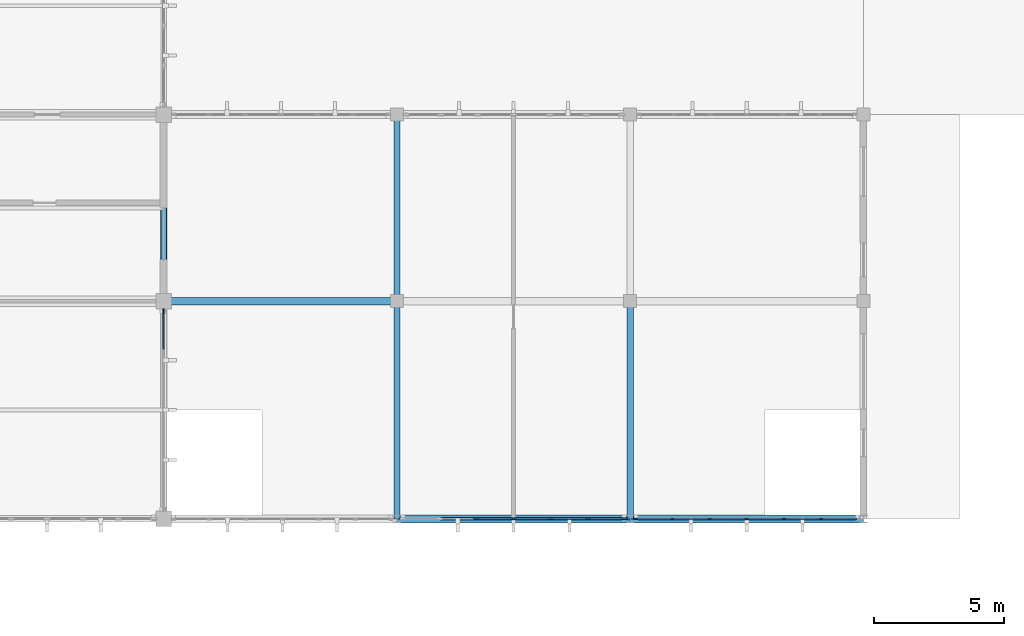
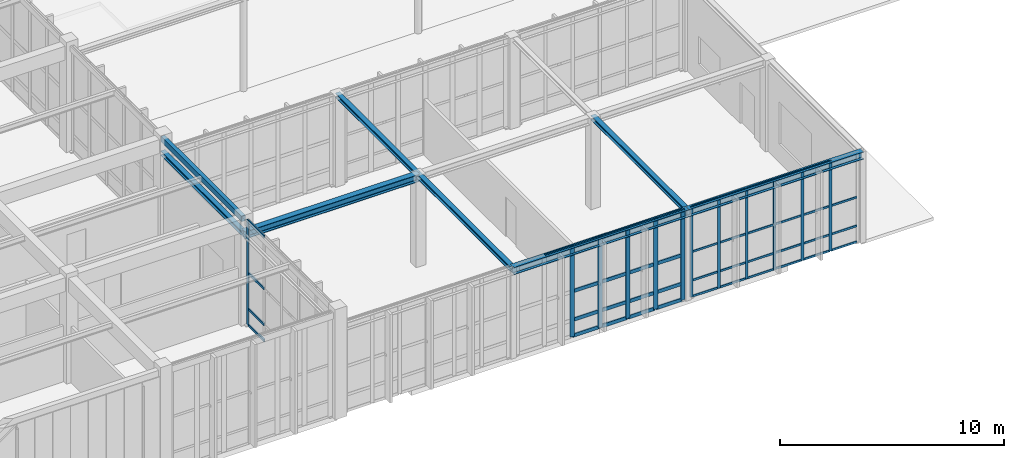
# One storey, part 29 of 110: 56 members, 8 beams, 3 elements without a shape of their own.
"""IFC4 building model written with IfcOpenShell, lengths in metres."""

import ifcopenshell
import ifcopenshell.guid

model = None  # the IFC model being written
_history = None  # IfcOwnerHistory: only IFC2X3 demands one
_inside = {}  # id of a spatial element -> (the spatial element, [elements in it])
_under = {}  # id of a project, library or spatial element -> (it, [spatial elements below it])
_declared = {}  # id of a project -> (the project, [libraries it declares])
_typed = {}  # id of a type object -> (the type object, [elements of that type])
_made_of = {}  # id of a material, layer set ... -> (it, [elements and type objects made of it])


def new_model(schema):
    """Start an empty IFC model of exactly this schema.

    Asked for "IFC4X3", IfcOpenShell would pick the latest addendum, in which some entities
    have other attributes; the version numbers below select the first issue.
    IFC2X3 requires an IfcOwnerHistory on every rooted entity: one is made here for all.
    """
    global model, _history
    if schema == "IFC4X3":
        model = ifcopenshell.file(schema_version=(4, 3, 0, 0))
    else:
        model = ifcopenshell.file(schema=schema)
    _inside.clear()
    _under.clear()
    _declared.clear()
    _typed.clear()
    _made_of.clear()
    _history = None
    if model.schema == "IFC2X3":
        org = make("IfcOrganization", Name="unknown")
        user = make(
            "IfcPersonAndOrganization",
            ThePerson=make("IfcPerson", FamilyName="unknown"),
            TheOrganization=org,
        )
        app = make(
            "IfcApplication",
            ApplicationDeveloper=org,
            Version="unknown",
            ApplicationFullName="unknown",
            ApplicationIdentifier="unknown",
        )
        _history = make(
            "IfcOwnerHistory",
            OwningUser=user,
            OwningApplication=app,
            ChangeAction="ADDED",
            CreationDate=0,
        )
    return model


def make(cls, **values):
    """One entity of the class cls with the attributes given. An attribute that is None is left unset."""
    return model.create_entity(
        cls, **{name: value for name, value in values.items() if value is not None}
    )


def rooted(cls, **values):
    """An entity with a GlobalId (a new one), such as an element, a storey or a relation."""
    return make(cls, GlobalId=ifcopenshell.guid.new(), OwnerHistory=_history, **values)


def si_unit(unit_type, name, prefix=None):
    """IfcSIUnit, for example si_unit("LENGTHUNIT", "METRE", prefix="MILLI")."""
    return make("IfcSIUnit", UnitType=unit_type, Prefix=prefix, Name=name)


def assignment(units):
    """IfcUnitAssignment: the units of a project."""
    return None if units is None else make("IfcUnitAssignment", Units=units)


def point(xyz):
    """IfcCartesianPoint."""
    return None if xyz is None else make("IfcCartesianPoint", Coordinates=xyz)


def direction(xyz):
    """IfcDirection."""
    return None if xyz is None else make("IfcDirection", DirectionRatios=xyz)


def frame(location, z_axis=None, x_axis=None):
    """IfcAxis2Placement3D, a coordinate frame: its origin and axes. An axis left out is left unset."""
    return make(
        "IfcAxis2Placement3D",
        Location=point(location),
        Axis=direction(z_axis),
        RefDirection=direction(x_axis),
    )


def frame_2d(location, x_axis=None):
    """IfcAxis2Placement2D, a coordinate frame in the plane: its origin and x axis."""
    return make(
        "IfcAxis2Placement2D", Location=point(location), RefDirection=direction(x_axis)
    )


def origin():
    """The frame at (0, 0, 0) with its axes left unset."""
    return frame((0.0, 0.0, 0.0))


def origin_2d():
    """The frame at (0, 0) in the plane with its x axis left unset."""
    return frame_2d((0.0, 0.0))


def place(relative_to, where):
    """IfcLocalPlacement: puts the frame where relative to a parent placement (None: the world)."""
    return make(
        "IfcLocalPlacement", PlacementRelTo=relative_to, RelativePlacement=where
    )


def context(
    kind, dimensions, precision=None, world=None, true_north=None, identifier=None
):
    """IfcGeometricRepresentationContext, for example the 3D "Model" context."""
    return make(
        "IfcGeometricRepresentationContext",
        ContextIdentifier=identifier,
        ContextType=kind,
        CoordinateSpaceDimension=dimensions,
        Precision=precision,
        WorldCoordinateSystem=world,
        TrueNorth=true_north,
    )


def subcontext(parent, identifier, kind, view, scale=None):
    """IfcGeometricRepresentationSubContext, for example "Body" below "Model"."""
    return make(
        "IfcGeometricRepresentationSubContext",
        ContextIdentifier=identifier,
        ContextType=kind,
        ParentContext=parent,
        TargetScale=scale,
        TargetView=view,
    )


def project(units=None, contexts=None):
    """IfcProject with its units and contexts."""
    return rooted(
        "IfcProject",
        Name="project",
        RepresentationContexts=contexts,
        UnitsInContext=assignment(units),
    )


def spatial(cls, under=None, at=None, **own):
    """A site, building, storey or space (cls), placed at a placement, below another one or the project."""
    s = rooted(cls, ObjectPlacement=at, **own)
    if under is not None:
        _under.setdefault(under.id(), (under, []))[1].append(s)
    return s


def profile(cls, at=None, kind="AREA", **sizes):
    """A parametric profile (cls). Its sizes go by their IFC names, for example OverallWidth=200.0."""
    return make(cls, ProfileType=kind, Position=at, **sizes)


def rectangle(**sizes):
    """IfcRectangleProfileDef."""
    return profile("IfcRectangleProfileDef", **sizes)


def hollow_rectangle(**sizes):
    """IfcRectangleHollowProfileDef."""
    return profile("IfcRectangleHollowProfileDef", **sizes)


def i_section(**sizes):
    """IfcIShapeProfileDef."""
    return profile("IfcIShapeProfileDef", **sizes)


def extrude(swept, where, along, depth):
    """IfcExtrudedAreaSolid: the profile swept, set in the frame where, extruded along a direction by depth."""
    return make(
        "IfcExtrudedAreaSolid",
        SweptArea=swept,
        Position=where,
        ExtrudedDirection=direction(along),
        Depth=depth,
    )


def shape(context_of_items, identifier, shape_type, items):
    """IfcShapeRepresentation: the items that make up one representation, for example the "Body"."""
    return make(
        "IfcShapeRepresentation",
        ContextOfItems=context_of_items,
        RepresentationIdentifier=identifier,
        RepresentationType=shape_type,
        Items=items,
    )


def material(Name=None, Category=None):
    """IfcMaterial."""
    return make("IfcMaterial", Name=Name, Category=Category)


def material_profile(
    of_material, cross_section, Name=None, Category=None, Priority=None
):
    """IfcMaterialProfile: a cross section and its material."""
    return make(
        "IfcMaterialProfile",
        Name=Name,
        Material=of_material,
        Profile=cross_section,
        Priority=Priority,
        Category=Category,
    )


def profile_set(profiles, Name=None, composite=None):
    """IfcMaterialProfileSet."""
    return make(
        "IfcMaterialProfileSet",
        Name=Name,
        MaterialProfiles=profiles,
        CompositeProfile=composite,
    )


def made_of(thing, what):
    """Note that an element or type object is made of a material, layer set ...; save() writes the relation."""
    if what is not None:
        _made_of.setdefault(what.id(), (what, []))[1].append(thing)
    return thing


def type_object(cls, material=None, **own):
    """A type object (cls), such as IfcWallType, which elements share."""
    return made_of(rooted(cls, **own), material)


def element(
    cls,
    number,
    at=None,
    inside=None,
    cuts=None,
    type_object=None,
    material=None,
    context=None,
    identifier="Body",
    shape_type=None,
    held_by="IfcProductDefinitionShape",
    body=None,
    shapes=None,
    **own,
):
    """One element of the class cls, such as IfcWall. Its Tag is "e" and its number.

    at: its placement. inside: the storey or other place that contains it. cuts: it is an
    opening in that element (IfcRelVoidsElement). A single representation is given by context,
    identifier, shape_type and body (its items); several are given by shapes. held_by: the class
    of the entity that holds the representations. save() writes the other relations.
    """
    e = rooted(cls, Tag="e%d" % number, ObjectPlacement=at, **own)
    if body is not None:
        shapes = [shape(context, identifier, shape_type, body)]
    if shapes is not None:
        e.Representation = make(held_by, Representations=shapes)
    if inside is not None:
        _inside.setdefault(inside.id(), (inside, []))[1].append(e)
    if cuts is not None:
        rooted(
            "IfcRelVoidsElement", RelatingBuildingElement=cuts, RelatedOpeningElement=e
        )
    if type_object is not None:
        _typed.setdefault(type_object.id(), (type_object, []))[1].append(e)
    return made_of(e, material)


def aggregate(whole, parts):
    """IfcRelAggregates: a whole, such as a stair, and the parts it consists of."""
    return rooted("IfcRelAggregates", RelatingObject=whole, RelatedObjects=parts)


def save(model, path):
    """Write the relations noted so far, then the file.

    IfcRelAggregates (storeys below a building ...), IfcRelContainedInSpatialStructure (elements
    in a storey), IfcRelDefinesByType, IfcRelAssociatesMaterial and IfcRelDeclares: one each for
    every whole, place, type object, material and project.
    """
    for whole, parts in _under.values():
        aggregate(whole, parts)
    for where, things in _inside.values():
        rooted(
            "IfcRelContainedInSpatialStructure",
            RelatedElements=things,
            RelatingStructure=where,
        )
    for kind, things in _typed.values():
        rooted("IfcRelDefinesByType", RelatedObjects=things, RelatingType=kind)
    for what, things in _made_of.values():
        rooted("IfcRelAssociatesMaterial", RelatedObjects=things, RelatingMaterial=what)
    for by, libraries in _declared.values():
        rooted("IfcRelDeclares", RelatingContext=by, RelatedDefinitions=libraries)
    model.write(path)


model = new_model("IFC4")

# Units and contexts
model_context = context("Model", 3, precision=1e-05, world=origin(), true_north=direction((0.0, 1.0)))
body_context = subcontext(model_context, "Body", "Model", "MODEL_VIEW")
ifc_project = project(units=[si_unit("LENGTHUNIT", "METRE"), si_unit("AREAUNIT", "SQUARE_METRE"), si_unit("VOLUMEUNIT", "CUBIC_METRE"), si_unit("PLANEANGLEUNIT", "RADIAN"), si_unit("MASSUNIT", "GRAM", prefix="KILO")], contexts=[model_context])

# Site, building, storey
site_placement = place(None, origin())
site = spatial("IfcSite", under=ifc_project, at=site_placement, CompositionType="ELEMENT")
building_placement = place(site_placement, origin())
building = spatial("IfcBuilding", under=site, at=building_placement, Name="Tizgana Railside Sports Hall", CompositionType="ELEMENT")
storey_placement = place(building_placement, origin())
storey = spatial("IfcBuildingStorey", under=building, at=storey_placement, Name="L00", CompositionType="ELEMENT", Elevation=0.0)

# Curtain wall, members
ifc_material_1 = material(Name="Anodised aluminium and glass", Category="aluminium")
curtain_wall_type_1 = type_object("IfcCurtainWallType", Name="Unitised Curtain Wall Clinic 1200", PredefinedType="NOTDEFINED", material=ifc_material_1)
curtain_wall_1_placement = place(storey_placement, origin())
curtain_wall_1 = element("IfcCurtainWall", 1, at=curtain_wall_1_placement, inside=storey, type_object=curtain_wall_type_1, Name="L00 Curtain Wall CW-0156", PredefinedType="NOTDEFINED")
ifc_material_2 = material(Name="Anodised aluminium", Category="aluminium")
ifc_material_profile_1 = material_profile(ifc_material_2, rectangle(XDim=0.06005859375, YDim=0.139892578125, at=origin_2d()), Name="Mullion 60x140")
ifc_profile_set_1 = profile_set([ifc_material_profile_1], Name="Anodised aluminium")
member_type_1 = type_object("IfcMemberType", Name="Mullion 60x140", PredefinedType="MULLION", material=ifc_profile_set_1)
member_1_placement = place(storey_placement, frame((123.169921875, 0.0, 0.044921875), z_axis=(0.0, 0.0, 1.0), x_axis=(0.0, -1.0, 0.0)))
member_1 = element("IfcMember", 2, at=member_1_placement, type_object=member_type_1, Name="CW-05 mullion 2", PredefinedType="MULLION", context=body_context, shape_type="SweptSolid", body=[
    extrude(rectangle(XDim=0.06005859375, YDim=0.139892578125, at=origin_2d()), origin(), (0.0, 0.0, 1.0), 4.9150390625),
])
member_2_placement = place(storey_placement, frame((121.735107421875, 0.0, 0.044921875), z_axis=(0.0, 0.0, 1.0), x_axis=(0.0, -1.0, 0.0)))
member_2 = element("IfcMember", 3, at=member_2_placement, type_object=member_type_1, Name="CW-05 mullion 3", PredefinedType="MULLION", context=body_context, shape_type="SweptSolid", body=[
    extrude(rectangle(XDim=0.06005859375, YDim=0.139892578125, at=origin_2d()), origin(), (0.0, 0.0, 1.0), 4.9150390625),
])
member_3_placement = place(storey_placement, frame((120.300048828125, 0.0, 0.044921875), z_axis=(0.0, 0.0, 1.0), x_axis=(0.0, -1.0, 0.0)))
member_3 = element("IfcMember", 4, at=member_3_placement, type_object=member_type_1, Name="CW-05 mullion 4", PredefinedType="MULLION", context=body_context, shape_type="SweptSolid", body=[
    extrude(rectangle(XDim=0.06005859375, YDim=0.139892578125, at=origin_2d()), origin(), (0.0, 0.0, 1.0), 4.9150390625),
])
member_4_placement = place(storey_placement, frame((118.864990234375, 0.0, 0.044921875), z_axis=(0.0, 0.0, 1.0), x_axis=(0.0, -1.0, 0.0)))
member_4 = element("IfcMember", 5, at=member_4_placement, type_object=member_type_1, Name="CW-05 mullion 5", PredefinedType="MULLION", context=body_context, shape_type="SweptSolid", body=[
    extrude(rectangle(XDim=0.06005859375, YDim=0.139892578125, at=origin_2d()), origin(), (0.0, 0.0, 1.0), 4.9150390625),
])
member_5_placement = place(storey_placement, frame((117.429931640625, 0.0, 0.044921875), z_axis=(0.0, 0.0, 1.0), x_axis=(0.0, -1.0, 0.0)))
member_5 = element("IfcMember", 6, at=member_5_placement, type_object=member_type_1, Name="CW-05 mullion 6", PredefinedType="MULLION", context=body_context, shape_type="SweptSolid", body=[
    extrude(rectangle(XDim=0.06005859375, YDim=0.139892578125, at=origin_2d()), origin(), (0.0, 0.0, 1.0), 4.9150390625),
])
member_6_placement = place(storey_placement, frame((116.02490234375, 0.0, 0.044921875), z_axis=(0.0, 0.0, 1.0), x_axis=(0.0, -1.0, 0.0)))
member_6 = element("IfcMember", 7, at=member_6_placement, type_object=member_type_1, Name="CW-05 mullion 7", PredefinedType="MULLION", context=body_context, shape_type="SweptSolid", body=[
    extrude(rectangle(XDim=0.06005859375, YDim=0.139892578125, at=origin_2d()), origin(), (0.0, 0.0, 1.0), 4.9150390625),
])

# Curtain wall, member
curtain_wall_type_2 = type_object("IfcCurtainWallType", Name="Unitised Curtain Wall WestHall 1560", PredefinedType="NOTDEFINED", material=ifc_material_1)
curtain_wall_2_placement = place(storey_placement, origin())
curtain_wall_2 = element("IfcCurtainWall", 8, at=curtain_wall_2_placement, inside=storey, type_object=curtain_wall_type_2, Name="L00 Curtain Wall CW-0086", PredefinedType="NOTDEFINED")
ifc_material_profile_2 = material_profile(ifc_material_2, rectangle(XDim=0.06005859375, YDim=0.179931640625, at=origin_2d()), Name="Mullion 60x180")
ifc_profile_set_2 = profile_set([ifc_material_profile_2], Name="Anodised aluminium")
member_type_2 = type_object("IfcMemberType", Name="Mullion 60x180", PredefinedType="MULLION", material=ifc_profile_set_2)
member_7_placement = place(storey_placement, frame((97.800048828125, 8.014892578125, 0.044921875), z_axis=(0.0, 0.0, 1.0), x_axis=(1.0, 0.0, 0.0)))
member_7 = element("IfcMember", 9, at=member_7_placement, type_object=member_type_2, Name="CW-07 mullion 1", PredefinedType="MULLION", context=body_context, shape_type="SweptSolid", body=[
    extrude(rectangle(XDim=0.06005859375, YDim=0.179931640625, at=origin_2d()), origin(), (0.0, 0.0, 1.0), 5.705078125),
])

# Curtain wall, members
curtain_wall_type_3 = type_object("IfcCurtainWallType", Name="Unitised Curtain Wall Studio 1400", PredefinedType="NOTDEFINED", material=ifc_material_1)
curtain_wall_3_placement = place(storey_placement, origin())
curtain_wall_3 = element("IfcCurtainWall", 10, at=curtain_wall_3_placement, inside=storey, type_object=curtain_wall_type_3, Name="L00 Curtain Wall CW-0154", PredefinedType="NOTDEFINED")
ifc_material_profile_3 = material_profile(ifc_material_2, rectangle(XDim=0.070068359375, YDim=0.219970703125, at=origin_2d()), Name="Mullion 70x220")
ifc_profile_set_3 = profile_set([ifc_material_profile_3], Name="Anodised aluminium")
member_type_3 = type_object("IfcMemberType", Name="Mullion 70x220", PredefinedType="MULLION", material=ifc_profile_set_3)
member_8_placement = place(storey_placement, frame((115.570068359375, 0.0, 0.044921875), z_axis=(0.0, 0.0, 1.0), x_axis=(0.0, -1.0, 0.0)))
member_8 = element("IfcMember", 11, at=member_8_placement, type_object=member_type_3, Name="CW-03 mullion 1", PredefinedType="MULLION", context=body_context, shape_type="SweptSolid", body=[
    extrude(rectangle(XDim=0.070068359375, YDim=0.219970703125, at=origin_2d()), origin(), (0.0, 0.0, 1.0), 4.9150390625),
])
member_9_placement = place(storey_placement, frame((114.169921875, 0.0, 0.044921875), z_axis=(0.0, 0.0, 1.0), x_axis=(0.0, -1.0, 0.0)))
member_9 = element("IfcMember", 12, at=member_9_placement, type_object=member_type_3, Name="CW-03 mullion 2", PredefinedType="MULLION", context=body_context, shape_type="SweptSolid", body=[
    extrude(rectangle(XDim=0.070068359375, YDim=0.219970703125, at=origin_2d()), origin(), (0.0, 0.0, 1.0), 4.9150390625),
])
member_10_placement = place(storey_placement, frame((112.735107421875, 0.0, 0.044921875), z_axis=(0.0, 0.0, 1.0), x_axis=(0.0, -1.0, 0.0)))
member_10 = element("IfcMember", 13, at=member_10_placement, type_object=member_type_3, Name="CW-03 mullion 3", PredefinedType="MULLION", context=body_context, shape_type="SweptSolid", body=[
    extrude(rectangle(XDim=0.070068359375, YDim=0.219970703125, at=origin_2d()), origin(), (0.0, 0.0, 1.0), 4.9150390625),
])
member_11_placement = place(storey_placement, frame((111.300048828125, 0.0, 0.044921875), z_axis=(0.0, 0.0, 1.0), x_axis=(0.0, -1.0, 0.0)))
member_11 = element("IfcMember", 14, at=member_11_placement, type_object=member_type_3, Name="CW-03 mullion 4", PredefinedType="MULLION", context=body_context, shape_type="SweptSolid", body=[
    extrude(rectangle(XDim=0.070068359375, YDim=0.219970703125, at=origin_2d()), origin(), (0.0, 0.0, 1.0), 4.9150390625),
])
member_12_placement = place(storey_placement, frame((109.864990234375, 0.0, 0.044921875), z_axis=(0.0, 0.0, 1.0), x_axis=(0.0, -1.0, 0.0)))
member_12 = element("IfcMember", 15, at=member_12_placement, type_object=member_type_3, Name="CW-03 mullion 5", PredefinedType="MULLION", context=body_context, shape_type="SweptSolid", body=[
    extrude(rectangle(XDim=0.070068359375, YDim=0.219970703125, at=origin_2d()), origin(), (0.0, 0.0, 1.0), 4.9150390625),
])

# Beams
ifc_material_3 = material(Name="Steel S355J2", Category="steel")
ifc_material_profile_4 = material_profile(ifc_material_3, i_section(OverallWidth=0.239990234375, OverallDepth=0.239990234375, WebThickness=0.010009765625, FlangeThickness=0.01708984375, FilletRadius=0.02099609375, at=origin_2d()), Name="HEB 240")
ifc_profile_set_4 = profile_set([ifc_material_profile_4], Name="Steel S355J2")
beam_type_1 = type_object("IfcBeamType", Name="Steel Beam HEB 240", PredefinedType="BEAM", material=ifc_profile_set_4)
beam_1_placement = place(storey_placement, frame((97.800048828125, 8.39990234375, 4.8359375), z_axis=(0.0, 1.0, 0.0), x_axis=(-1.0, 0.0, 0.0)))
element("IfcBeam", 16, at=beam_1_placement, inside=storey, type_object=beam_type_1, Name="L00 BEM-1331", PredefinedType="BEAM", context=body_context, shape_type="SweptSolid", body=[
    extrude(i_section(OverallWidth=0.239990234375, OverallDepth=0.239990234375, WebThickness=0.010009765625, FlangeThickness=0.01708984375, FilletRadius=0.02099609375, at=origin_2d()), origin(), (0.0, 0.0, 1.0), 7.2001953125),
])
beam_2_placement = place(storey_placement, frame((106.800048828125, 0.0, 4.8359375), z_axis=(0.0, 1.0, 0.0), x_axis=(-1.0, 0.0, 0.0)))
element("IfcBeam", 17, at=beam_2_placement, inside=storey, type_object=beam_type_1, Name="L00 BEM-1333", PredefinedType="BEAM", context=body_context, shape_type="SweptSolid", body=[
    extrude(i_section(OverallWidth=0.239990234375, OverallDepth=0.239990234375, WebThickness=0.010009765625, FlangeThickness=0.01708984375, FilletRadius=0.02099609375, at=origin_2d()), origin(), (0.0, 0.0, 1.0), 8.39990234375),
])
beam_3_placement = place(storey_placement, frame((106.800048828125, 8.39990234375, 4.8359375), z_axis=(0.0, 1.0, 0.0), x_axis=(-1.0, 0.0, 0.0)))
element("IfcBeam", 18, at=beam_3_placement, inside=storey, type_object=beam_type_1, Name="L00 BEM-1335", PredefinedType="BEAM", context=body_context, shape_type="SweptSolid", body=[
    extrude(i_section(OverallWidth=0.239990234375, OverallDepth=0.239990234375, WebThickness=0.010009765625, FlangeThickness=0.01708984375, FilletRadius=0.02099609375, at=origin_2d()), origin(), (0.0, 0.0, 1.0), 7.2001953125),
])
beam_4_placement = place(storey_placement, frame((115.800048828125, 0.0, 4.8359375), z_axis=(0.0, 1.0, 0.0), x_axis=(-1.0, 0.0, 0.0)))
element("IfcBeam", 19, at=beam_4_placement, inside=storey, type_object=beam_type_1, Name="L00 BEM-1337", PredefinedType="BEAM", context=body_context, shape_type="SweptSolid", body=[
    extrude(i_section(OverallWidth=0.239990234375, OverallDepth=0.239990234375, WebThickness=0.010009765625, FlangeThickness=0.01708984375, FilletRadius=0.02099609375, at=origin_2d()), origin(), (0.0, 0.0, 1.0), 8.39990234375),
])
ifc_material_profile_5 = material_profile(ifc_material_3, i_section(OverallWidth=0.300048828125, OverallDepth=0.39990234375, WebThickness=0.013427734375, FlangeThickness=0.02392578125, FilletRadius=0.027099609375, at=origin_2d()), Name="HEB 400")
ifc_profile_set_5 = profile_set([ifc_material_profile_5], Name="Steel S355J2")
beam_type_2 = type_object("IfcBeamType", Name="Steel Beam HEB 400", PredefinedType="BEAM", material=ifc_profile_set_5)
for number, where, z_axis, x_axis, name in (
    (20, (97.800048828125, 8.39990234375, 4.756103515625), (1.0, 0.0, 0.0), (0.0, 1.0, 0.0), "L00 BEM-1347"),
    (21, (106.800048828125, 0.0, 4.756103515625), (1.0, 0.0, 0.0), (0.0, 1.0, 0.0), "L00 BEM-1351"),
    (22, (115.800048828125, 0.0, 4.756103515625), (1.0, 0.0, 0.0), (0.0, 1.0, 0.0), "L00 BEM-1357"),
):
    element("IfcBeam", number, at=place(storey_placement, frame(where, z_axis=z_axis, x_axis=x_axis)), inside=storey, type_object=beam_type_2, Name=name, PredefinedType="BEAM", context=body_context, shape_type="SweptSolid", body=[
        extrude(i_section(OverallWidth=0.300048828125, OverallDepth=0.39990234375, WebThickness=0.013427734375, FlangeThickness=0.02392578125, FilletRadius=0.027099609375, at=origin_2d()), origin(), (0.0, 0.0, 1.0), 9.0),
    ])
ifc_material_profile_6 = material_profile(ifc_material_3, hollow_rectangle(XDim=0.199951171875, YDim=0.300048828125, WallThickness=0.010009765625, at=origin_2d()), Name="RHS 300x200x10")
ifc_profile_set_6 = profile_set([ifc_material_profile_6], Name="Steel S355J2")
beam_type_3 = type_object("IfcBeamType", Name="Steel Spandrel RHS 300x200x10", PredefinedType="SPANDREL", material=ifc_profile_set_6)
beam_5_placement = place(storey_placement, frame((97.800048828125, 8.39990234375, 5.595947265625), z_axis=(0.0, 1.0, 0.0), x_axis=(-1.0, 0.0, 0.0)))
element("IfcBeam", 23, at=beam_5_placement, inside=storey, type_object=beam_type_3, Name="L00 BEM-0375", PredefinedType="SPANDREL", context=body_context, shape_type="SweptSolid", body=[
    extrude(hollow_rectangle(XDim=0.199951171875, YDim=0.300048828125, WallThickness=0.010009765625, at=origin_2d()), origin(), (0.0, 0.0, 1.0), 7.2001953125),
])

# Member
ifc_material_profile_7 = material_profile(ifc_material_2, rectangle(XDim=0.06005859375, YDim=0.110107421875, at=origin_2d()), Name="Transom 60x110")
ifc_profile_set_7 = profile_set([ifc_material_profile_7], Name="Anodised aluminium")
member_type_4 = type_object("IfcMemberType", Name="Transom 60x110", PredefinedType="USERDEFINED", material=ifc_profile_set_7)
member_13_placement = place(storey_placement, frame((124.544921875, 0.0, 0.074951171875), z_axis=(-1.0, 0.0, 0.0), x_axis=(0.0, -1.0, 0.0)))
member_13 = element("IfcMember", 24, at=member_13_placement, type_object=member_type_4, Name="CW-05 transom 1.1", ObjectType="TRANSOM", PredefinedType="USERDEFINED", context=body_context, shape_type="SweptSolid", body=[
    extrude(rectangle(XDim=0.06005859375, YDim=0.110107421875, at=origin_2d()), origin(), (0.0, 0.0, 1.0), 1.344970703125),
])

member_14_placement = place(storey_placement, frame((124.544921875, 0.0, 0.945068359375), z_axis=(-1.0, 0.0, 0.0), x_axis=(0.0, -1.0, 0.0)))
member_14 = element("IfcMember", 25, at=member_14_placement, type_object=member_type_4, Name="CW-05 transom 1.2", ObjectType="TRANSOM", PredefinedType="USERDEFINED", context=body_context, shape_type="SweptSolid", body=[
    extrude(rectangle(XDim=0.06005859375, YDim=0.110107421875, at=origin_2d()), origin(), (0.0, 0.0, 1.0), 1.344970703125),
])

member_15_placement = place(storey_placement, frame((124.544921875, 0.0, 2.50244140625), z_axis=(-1.0, 0.0, 0.0), x_axis=(0.0, -1.0, 0.0)))
member_15 = element("IfcMember", 26, at=member_15_placement, type_object=member_type_4, Name="CW-05 transom 1.3", ObjectType="TRANSOM", PredefinedType="USERDEFINED", context=body_context, shape_type="SweptSolid", body=[
    extrude(rectangle(XDim=0.06005859375, YDim=0.110107421875, at=origin_2d()), origin(), (0.0, 0.0, 1.0), 1.344970703125),
])

member_16_placement = place(storey_placement, frame((123.139892578125, 0.0, 0.074951171875), z_axis=(-1.0, 0.0, 0.0), x_axis=(0.0, -1.0, 0.0)))
member_16 = element("IfcMember", 27, at=member_16_placement, type_object=member_type_4, Name="CW-05 transom 2.1", ObjectType="TRANSOM", PredefinedType="USERDEFINED", context=body_context, shape_type="SweptSolid", body=[
    extrude(rectangle(XDim=0.06005859375, YDim=0.110107421875, at=origin_2d()), origin(), (0.0, 0.0, 1.0), 1.375),
])

member_17_placement = place(storey_placement, frame((123.139892578125, 0.0, 0.945068359375), z_axis=(-1.0, 0.0, 0.0), x_axis=(0.0, -1.0, 0.0)))
member_17 = element("IfcMember", 28, at=member_17_placement, type_object=member_type_4, Name="CW-05 transom 2.2", ObjectType="TRANSOM", PredefinedType="USERDEFINED", context=body_context, shape_type="SweptSolid", body=[
    extrude(rectangle(XDim=0.06005859375, YDim=0.110107421875, at=origin_2d()), origin(), (0.0, 0.0, 1.0), 1.375),
])

member_18_placement = place(storey_placement, frame((123.139892578125, 0.0, 2.50244140625), z_axis=(-1.0, 0.0, 0.0), x_axis=(0.0, -1.0, 0.0)))
member_18 = element("IfcMember", 29, at=member_18_placement, type_object=member_type_4, Name="CW-05 transom 2.3", ObjectType="TRANSOM", PredefinedType="USERDEFINED", context=body_context, shape_type="SweptSolid", body=[
    extrude(rectangle(XDim=0.06005859375, YDim=0.110107421875, at=origin_2d()), origin(), (0.0, 0.0, 1.0), 1.375),
])

member_19_placement = place(storey_placement, frame((123.139892578125, 0.0, 4.929931640625), z_axis=(-1.0, 0.0, 0.0), x_axis=(0.0, -1.0, 0.0)))
member_19 = element("IfcMember", 30, at=member_19_placement, type_object=member_type_4, Name="CW-05 transom 2.4", ObjectType="TRANSOM", PredefinedType="USERDEFINED", context=body_context, shape_type="SweptSolid", body=[
    extrude(rectangle(XDim=0.06005859375, YDim=0.110107421875, at=origin_2d()), origin(), (0.0, 0.0, 1.0), 1.375),
])

member_20_placement = place(storey_placement, frame((121.705078125, 0.0, 0.074951171875), z_axis=(-1.0, 0.0, 0.0), x_axis=(0.0, -1.0, 0.0)))
member_20 = element("IfcMember", 31, at=member_20_placement, type_object=member_type_4, Name="CW-05 transom 3.1", ObjectType="TRANSOM", PredefinedType="USERDEFINED", context=body_context, shape_type="SweptSolid", body=[
    extrude(rectangle(XDim=0.06005859375, YDim=0.110107421875, at=origin_2d()), origin(), (0.0, 0.0, 1.0), 1.375),
])

member_21_placement = place(storey_placement, frame((121.705078125, 0.0, 0.945068359375), z_axis=(-1.0, 0.0, 0.0), x_axis=(0.0, -1.0, 0.0)))
member_21 = element("IfcMember", 32, at=member_21_placement, type_object=member_type_4, Name="CW-05 transom 3.2", ObjectType="TRANSOM", PredefinedType="USERDEFINED", context=body_context, shape_type="SweptSolid", body=[
    extrude(rectangle(XDim=0.06005859375, YDim=0.110107421875, at=origin_2d()), origin(), (0.0, 0.0, 1.0), 1.375),
])

member_22_placement = place(storey_placement, frame((121.705078125, 0.0, 2.50244140625), z_axis=(-1.0, 0.0, 0.0), x_axis=(0.0, -1.0, 0.0)))
member_22 = element("IfcMember", 33, at=member_22_placement, type_object=member_type_4, Name="CW-05 transom 3.3", ObjectType="TRANSOM", PredefinedType="USERDEFINED", context=body_context, shape_type="SweptSolid", body=[
    extrude(rectangle(XDim=0.06005859375, YDim=0.110107421875, at=origin_2d()), origin(), (0.0, 0.0, 1.0), 1.375),
])

member_23_placement = place(storey_placement, frame((121.705078125, 0.0, 4.929931640625), z_axis=(-1.0, 0.0, 0.0), x_axis=(0.0, -1.0, 0.0)))
member_23 = element("IfcMember", 34, at=member_23_placement, type_object=member_type_4, Name="CW-05 transom 3.4", ObjectType="TRANSOM", PredefinedType="USERDEFINED", context=body_context, shape_type="SweptSolid", body=[
    extrude(rectangle(XDim=0.06005859375, YDim=0.110107421875, at=origin_2d()), origin(), (0.0, 0.0, 1.0), 1.375),
])

member_24_placement = place(storey_placement, frame((120.27001953125, 0.0, 0.074951171875), z_axis=(-1.0, 0.0, 0.0), x_axis=(0.0, -1.0, 0.0)))
member_24 = element("IfcMember", 35, at=member_24_placement, type_object=member_type_4, Name="CW-05 transom 4.1", ObjectType="TRANSOM", PredefinedType="USERDEFINED", context=body_context, shape_type="SweptSolid", body=[
    extrude(rectangle(XDim=0.06005859375, YDim=0.110107421875, at=origin_2d()), origin(), (0.0, 0.0, 1.0), 1.375),
])

member_25_placement = place(storey_placement, frame((120.27001953125, 0.0, 0.945068359375), z_axis=(-1.0, 0.0, 0.0), x_axis=(0.0, -1.0, 0.0)))
member_25 = element("IfcMember", 36, at=member_25_placement, type_object=member_type_4, Name="CW-05 transom 4.2", ObjectType="TRANSOM", PredefinedType="USERDEFINED", context=body_context, shape_type="SweptSolid", body=[
    extrude(rectangle(XDim=0.06005859375, YDim=0.110107421875, at=origin_2d()), origin(), (0.0, 0.0, 1.0), 1.375),
])

member_26_placement = place(storey_placement, frame((120.27001953125, 0.0, 2.50244140625), z_axis=(-1.0, 0.0, 0.0), x_axis=(0.0, -1.0, 0.0)))
member_26 = element("IfcMember", 37, at=member_26_placement, type_object=member_type_4, Name="CW-05 transom 4.3", ObjectType="TRANSOM", PredefinedType="USERDEFINED", context=body_context, shape_type="SweptSolid", body=[
    extrude(rectangle(XDim=0.06005859375, YDim=0.110107421875, at=origin_2d()), origin(), (0.0, 0.0, 1.0), 1.375),
])

member_27_placement = place(storey_placement, frame((120.27001953125, 0.0, 4.929931640625), z_axis=(-1.0, 0.0, 0.0), x_axis=(0.0, -1.0, 0.0)))
member_27 = element("IfcMember", 38, at=member_27_placement, type_object=member_type_4, Name="CW-05 transom 4.4", ObjectType="TRANSOM", PredefinedType="USERDEFINED", context=body_context, shape_type="SweptSolid", body=[
    extrude(rectangle(XDim=0.06005859375, YDim=0.110107421875, at=origin_2d()), origin(), (0.0, 0.0, 1.0), 1.375),
])

member_28_placement = place(storey_placement, frame((118.8349609375, 0.0, 0.074951171875), z_axis=(-1.0, 0.0, 0.0), x_axis=(0.0, -1.0, 0.0)))
member_28 = element("IfcMember", 39, at=member_28_placement, type_object=member_type_4, Name="CW-05 transom 5.1", ObjectType="TRANSOM", PredefinedType="USERDEFINED", context=body_context, shape_type="SweptSolid", body=[
    extrude(rectangle(XDim=0.06005859375, YDim=0.110107421875, at=origin_2d()), origin(), (0.0, 0.0, 1.0), 1.375),
])

member_29_placement = place(storey_placement, frame((118.8349609375, 0.0, 0.945068359375), z_axis=(-1.0, 0.0, 0.0), x_axis=(0.0, -1.0, 0.0)))
member_29 = element("IfcMember", 40, at=member_29_placement, type_object=member_type_4, Name="CW-05 transom 5.2", ObjectType="TRANSOM", PredefinedType="USERDEFINED", context=body_context, shape_type="SweptSolid", body=[
    extrude(rectangle(XDim=0.06005859375, YDim=0.110107421875, at=origin_2d()), origin(), (0.0, 0.0, 1.0), 1.375),
])

member_30_placement = place(storey_placement, frame((118.8349609375, 0.0, 2.50244140625), z_axis=(-1.0, 0.0, 0.0), x_axis=(0.0, -1.0, 0.0)))
member_30 = element("IfcMember", 41, at=member_30_placement, type_object=member_type_4, Name="CW-05 transom 5.3", ObjectType="TRANSOM", PredefinedType="USERDEFINED", context=body_context, shape_type="SweptSolid", body=[
    extrude(rectangle(XDim=0.06005859375, YDim=0.110107421875, at=origin_2d()), origin(), (0.0, 0.0, 1.0), 1.375),
])

member_31_placement = place(storey_placement, frame((118.8349609375, 0.0, 4.929931640625), z_axis=(-1.0, 0.0, 0.0), x_axis=(0.0, -1.0, 0.0)))
member_31 = element("IfcMember", 42, at=member_31_placement, type_object=member_type_4, Name="CW-05 transom 5.4", ObjectType="TRANSOM", PredefinedType="USERDEFINED", context=body_context, shape_type="SweptSolid", body=[
    extrude(rectangle(XDim=0.06005859375, YDim=0.110107421875, at=origin_2d()), origin(), (0.0, 0.0, 1.0), 1.375),
])

member_32_placement = place(storey_placement, frame((117.39990234375, 0.0, 0.074951171875), z_axis=(-1.0, 0.0, 0.0), x_axis=(0.0, -1.0, 0.0)))
member_32 = element("IfcMember", 43, at=member_32_placement, type_object=member_type_4, Name="CW-05 transom 6.1", ObjectType="TRANSOM", PredefinedType="USERDEFINED", context=body_context, shape_type="SweptSolid", body=[
    extrude(rectangle(XDim=0.06005859375, YDim=0.110107421875, at=origin_2d()), origin(), (0.0, 0.0, 1.0), 1.344970703125),
])

member_33_placement = place(storey_placement, frame((117.39990234375, 0.0, 0.945068359375), z_axis=(-1.0, 0.0, 0.0), x_axis=(0.0, -1.0, 0.0)))
member_33 = element("IfcMember", 44, at=member_33_placement, type_object=member_type_4, Name="CW-05 transom 6.2", ObjectType="TRANSOM", PredefinedType="USERDEFINED", context=body_context, shape_type="SweptSolid", body=[
    extrude(rectangle(XDim=0.06005859375, YDim=0.110107421875, at=origin_2d()), origin(), (0.0, 0.0, 1.0), 1.344970703125),
])

member_34_placement = place(storey_placement, frame((117.39990234375, 0.0, 2.50244140625), z_axis=(-1.0, 0.0, 0.0), x_axis=(0.0, -1.0, 0.0)))
member_34 = element("IfcMember", 45, at=member_34_placement, type_object=member_type_4, Name="CW-05 transom 6.3", ObjectType="TRANSOM", PredefinedType="USERDEFINED", context=body_context, shape_type="SweptSolid", body=[
    extrude(rectangle(XDim=0.06005859375, YDim=0.110107421875, at=origin_2d()), origin(), (0.0, 0.0, 1.0), 1.344970703125),
])

member_35_placement = place(storey_placement, frame((117.39990234375, 0.0, 4.929931640625), z_axis=(-1.0, 0.0, 0.0), x_axis=(0.0, -1.0, 0.0)))
member_35 = element("IfcMember", 46, at=member_35_placement, type_object=member_type_4, Name="CW-05 transom 6.4", ObjectType="TRANSOM", PredefinedType="USERDEFINED", context=body_context, shape_type="SweptSolid", body=[
    extrude(rectangle(XDim=0.06005859375, YDim=0.110107421875, at=origin_2d()), origin(), (0.0, 0.0, 1.0), 1.344970703125),
])

aggregate(curtain_wall_1, [member_1, member_2, member_3, member_4, member_5, member_6, member_13, member_14, member_15, member_16, member_17, member_18, member_19, member_20, member_21, member_22, member_23, member_24, member_25, member_26, member_27, member_28, member_29, member_30, member_31, member_32, member_33, member_34, member_35])

ifc_material_profile_8 = material_profile(ifc_material_2, rectangle(XDim=0.06005859375, YDim=0.14990234375, at=origin_2d()), Name="Transom 60x150")
ifc_profile_set_8 = profile_set([ifc_material_profile_8], Name="Anodised aluminium")
member_type_5 = type_object("IfcMemberType", Name="Transom 60x150", PredefinedType="USERDEFINED", material=ifc_profile_set_8)
member_36_placement = place(storey_placement, frame((97.800048828125, 7.985107421875, 0.074951171875), z_axis=(0.0, -1.0, 0.0), x_axis=(1.0, 0.0, 0.0)))
member_36 = element("IfcMember", 47, at=member_36_placement, type_object=member_type_5, Name="CW-07 transom 1.1", ObjectType="TRANSOM", PredefinedType="USERDEFINED", context=body_context, shape_type="SweptSolid", body=[
    extrude(rectangle(XDim=0.06005859375, YDim=0.14990234375, at=origin_2d()), origin(), (0.0, 0.0, 1.0), 1.447998046875),
])

member_37_placement = place(storey_placement, frame((97.800048828125, 7.985107421875, 0.945068359375), z_axis=(0.0, -1.0, 0.0), x_axis=(1.0, 0.0, 0.0)))
member_37 = element("IfcMember", 48, at=member_37_placement, type_object=member_type_5, Name="CW-07 transom 1.2", ObjectType="TRANSOM", PredefinedType="USERDEFINED", context=body_context, shape_type="SweptSolid", body=[
    extrude(rectangle(XDim=0.06005859375, YDim=0.14990234375, at=origin_2d()), origin(), (0.0, 0.0, 1.0), 1.447998046875),
])

member_38_placement = place(storey_placement, frame((97.800048828125, 7.985107421875, 2.8974609375), z_axis=(0.0, -1.0, 0.0), x_axis=(1.0, 0.0, 0.0)))
member_38 = element("IfcMember", 49, at=member_38_placement, type_object=member_type_5, Name="CW-07 transom 1.3", ObjectType="TRANSOM", PredefinedType="USERDEFINED", context=body_context, shape_type="SweptSolid", body=[
    extrude(rectangle(XDim=0.06005859375, YDim=0.14990234375, at=origin_2d()), origin(), (0.0, 0.0, 1.0), 1.447998046875),
])

member_39_placement = place(storey_placement, frame((97.800048828125, 7.985107421875, 5.719970703125), z_axis=(0.0, -1.0, 0.0), x_axis=(1.0, 0.0, 0.0)))
member_39 = element("IfcMember", 50, at=member_39_placement, type_object=member_type_5, Name="CW-07 transom 1.4", ObjectType="TRANSOM", PredefinedType="USERDEFINED", context=body_context, shape_type="SweptSolid", body=[
    extrude(rectangle(XDim=0.06005859375, YDim=0.14990234375, at=origin_2d()), origin(), (0.0, 0.0, 1.0), 1.447998046875),
])

aggregate(curtain_wall_2, [member_7, member_36, member_37, member_38, member_39])

ifc_material_profile_9 = material_profile(ifc_material_2, rectangle(XDim=0.070068359375, YDim=0.18994140625, at=origin_2d()), Name="Transom 70x190")
ifc_profile_set_9 = profile_set([ifc_material_profile_9], Name="Anodised aluminium")
member_type_6 = type_object("IfcMemberType", Name="Transom 70x190", PredefinedType="USERDEFINED", material=ifc_profile_set_9)
member_40_placement = place(storey_placement, frame((115.534912109375, 0.0, 0.080078125), z_axis=(-1.0, 0.0, 0.0), x_axis=(0.0, -1.0, 0.0)))
member_40 = element("IfcMember", 51, at=member_40_placement, type_object=member_type_6, Name="CW-03 transom 1.1", ObjectType="TRANSOM", PredefinedType="USERDEFINED", context=body_context, shape_type="SweptSolid", body=[
    extrude(rectangle(XDim=0.070068359375, YDim=0.18994140625, at=origin_2d()), origin(), (0.0, 0.0, 1.0), 1.329833984375),
])

member_41_placement = place(storey_placement, frame((115.534912109375, 0.0, 0.945068359375), z_axis=(-1.0, 0.0, 0.0), x_axis=(0.0, -1.0, 0.0)))
member_41 = element("IfcMember", 52, at=member_41_placement, type_object=member_type_6, Name="CW-03 transom 1.2", ObjectType="TRANSOM", PredefinedType="USERDEFINED", context=body_context, shape_type="SweptSolid", body=[
    extrude(rectangle(XDim=0.070068359375, YDim=0.18994140625, at=origin_2d()), origin(), (0.0, 0.0, 1.0), 1.329833984375),
])

member_42_placement = place(storey_placement, frame((115.534912109375, 0.0, 2.50244140625), z_axis=(-1.0, 0.0, 0.0), x_axis=(0.0, -1.0, 0.0)))
member_42 = element("IfcMember", 53, at=member_42_placement, type_object=member_type_6, Name="CW-03 transom 1.3", ObjectType="TRANSOM", PredefinedType="USERDEFINED", context=body_context, shape_type="SweptSolid", body=[
    extrude(rectangle(XDim=0.070068359375, YDim=0.18994140625, at=origin_2d()), origin(), (0.0, 0.0, 1.0), 1.329833984375),
])

member_43_placement = place(storey_placement, frame((115.534912109375, 0.0, 4.925048828125), z_axis=(-1.0, 0.0, 0.0), x_axis=(0.0, -1.0, 0.0)))
member_43 = element("IfcMember", 54, at=member_43_placement, type_object=member_type_6, Name="CW-03 transom 1.4", ObjectType="TRANSOM", PredefinedType="USERDEFINED", context=body_context, shape_type="SweptSolid", body=[
    extrude(rectangle(XDim=0.070068359375, YDim=0.18994140625, at=origin_2d()), origin(), (0.0, 0.0, 1.0), 1.329833984375),
])

member_44_placement = place(storey_placement, frame((114.135009765625, 0.0, 0.080078125), z_axis=(-1.0, 0.0, 0.0), x_axis=(0.0, -1.0, 0.0)))
member_44 = element("IfcMember", 55, at=member_44_placement, type_object=member_type_6, Name="CW-03 transom 2.1", ObjectType="TRANSOM", PredefinedType="USERDEFINED", context=body_context, shape_type="SweptSolid", body=[
    extrude(rectangle(XDim=0.070068359375, YDim=0.18994140625, at=origin_2d()), origin(), (0.0, 0.0, 1.0), 1.364990234375),
])

member_45_placement = place(storey_placement, frame((114.135009765625, 0.0, 0.945068359375), z_axis=(-1.0, 0.0, 0.0), x_axis=(0.0, -1.0, 0.0)))
member_45 = element("IfcMember", 56, at=member_45_placement, type_object=member_type_6, Name="CW-03 transom 2.2", ObjectType="TRANSOM", PredefinedType="USERDEFINED", context=body_context, shape_type="SweptSolid", body=[
    extrude(rectangle(XDim=0.070068359375, YDim=0.18994140625, at=origin_2d()), origin(), (0.0, 0.0, 1.0), 1.364990234375),
])

member_46_placement = place(storey_placement, frame((114.135009765625, 0.0, 2.50244140625), z_axis=(-1.0, 0.0, 0.0), x_axis=(0.0, -1.0, 0.0)))
member_46 = element("IfcMember", 57, at=member_46_placement, type_object=member_type_6, Name="CW-03 transom 2.3", ObjectType="TRANSOM", PredefinedType="USERDEFINED", context=body_context, shape_type="SweptSolid", body=[
    extrude(rectangle(XDim=0.070068359375, YDim=0.18994140625, at=origin_2d()), origin(), (0.0, 0.0, 1.0), 1.364990234375),
])

member_47_placement = place(storey_placement, frame((114.135009765625, 0.0, 4.925048828125), z_axis=(-1.0, 0.0, 0.0), x_axis=(0.0, -1.0, 0.0)))
member_47 = element("IfcMember", 58, at=member_47_placement, type_object=member_type_6, Name="CW-03 transom 2.4", ObjectType="TRANSOM", PredefinedType="USERDEFINED", context=body_context, shape_type="SweptSolid", body=[
    extrude(rectangle(XDim=0.070068359375, YDim=0.18994140625, at=origin_2d()), origin(), (0.0, 0.0, 1.0), 1.364990234375),
])

member_48_placement = place(storey_placement, frame((112.699951171875, 0.0, 0.080078125), z_axis=(-1.0, 0.0, 0.0), x_axis=(0.0, -1.0, 0.0)))
member_48 = element("IfcMember", 59, at=member_48_placement, type_object=member_type_6, Name="CW-03 transom 3.1", ObjectType="TRANSOM", PredefinedType="USERDEFINED", context=body_context, shape_type="SweptSolid", body=[
    extrude(rectangle(XDim=0.070068359375, YDim=0.18994140625, at=origin_2d()), origin(), (0.0, 0.0, 1.0), 1.364990234375),
])

member_49_placement = place(storey_placement, frame((112.699951171875, 0.0, 0.945068359375), z_axis=(-1.0, 0.0, 0.0), x_axis=(0.0, -1.0, 0.0)))
member_49 = element("IfcMember", 60, at=member_49_placement, type_object=member_type_6, Name="CW-03 transom 3.2", ObjectType="TRANSOM", PredefinedType="USERDEFINED", context=body_context, shape_type="SweptSolid", body=[
    extrude(rectangle(XDim=0.070068359375, YDim=0.18994140625, at=origin_2d()), origin(), (0.0, 0.0, 1.0), 1.364990234375),
])

member_50_placement = place(storey_placement, frame((112.699951171875, 0.0, 2.50244140625), z_axis=(-1.0, 0.0, 0.0), x_axis=(0.0, -1.0, 0.0)))
member_50 = element("IfcMember", 61, at=member_50_placement, type_object=member_type_6, Name="CW-03 transom 3.3", ObjectType="TRANSOM", PredefinedType="USERDEFINED", context=body_context, shape_type="SweptSolid", body=[
    extrude(rectangle(XDim=0.070068359375, YDim=0.18994140625, at=origin_2d()), origin(), (0.0, 0.0, 1.0), 1.364990234375),
])

member_51_placement = place(storey_placement, frame((112.699951171875, 0.0, 4.925048828125), z_axis=(-1.0, 0.0, 0.0), x_axis=(0.0, -1.0, 0.0)))
member_51 = element("IfcMember", 62, at=member_51_placement, type_object=member_type_6, Name="CW-03 transom 3.4", ObjectType="TRANSOM", PredefinedType="USERDEFINED", context=body_context, shape_type="SweptSolid", body=[
    extrude(rectangle(XDim=0.070068359375, YDim=0.18994140625, at=origin_2d()), origin(), (0.0, 0.0, 1.0), 1.364990234375),
])

member_52_placement = place(storey_placement, frame((111.264892578125, 0.0, 0.080078125), z_axis=(-1.0, 0.0, 0.0), x_axis=(0.0, -1.0, 0.0)))
member_52 = element("IfcMember", 63, at=member_52_placement, type_object=member_type_6, Name="CW-03 transom 4.1", ObjectType="TRANSOM", PredefinedType="USERDEFINED", context=body_context, shape_type="SweptSolid", body=[
    extrude(rectangle(XDim=0.070068359375, YDim=0.18994140625, at=origin_2d()), origin(), (0.0, 0.0, 1.0), 1.364990234375),
])

member_53_placement = place(storey_placement, frame((111.264892578125, 0.0, 0.945068359375), z_axis=(-1.0, 0.0, 0.0), x_axis=(0.0, -1.0, 0.0)))
member_53 = element("IfcMember", 64, at=member_53_placement, type_object=member_type_6, Name="CW-03 transom 4.2", ObjectType="TRANSOM", PredefinedType="USERDEFINED", context=body_context, shape_type="SweptSolid", body=[
    extrude(rectangle(XDim=0.070068359375, YDim=0.18994140625, at=origin_2d()), origin(), (0.0, 0.0, 1.0), 1.364990234375),
])

member_54_placement = place(storey_placement, frame((111.264892578125, 0.0, 2.50244140625), z_axis=(-1.0, 0.0, 0.0), x_axis=(0.0, -1.0, 0.0)))
member_54 = element("IfcMember", 65, at=member_54_placement, type_object=member_type_6, Name="CW-03 transom 4.3", ObjectType="TRANSOM", PredefinedType="USERDEFINED", context=body_context, shape_type="SweptSolid", body=[
    extrude(rectangle(XDim=0.070068359375, YDim=0.18994140625, at=origin_2d()), origin(), (0.0, 0.0, 1.0), 1.364990234375),
])

member_55_placement = place(storey_placement, frame((111.264892578125, 0.0, 4.925048828125), z_axis=(-1.0, 0.0, 0.0), x_axis=(0.0, -1.0, 0.0)))
member_55 = element("IfcMember", 66, at=member_55_placement, type_object=member_type_6, Name="CW-03 transom 4.4", ObjectType="TRANSOM", PredefinedType="USERDEFINED", context=body_context, shape_type="SweptSolid", body=[
    extrude(rectangle(XDim=0.070068359375, YDim=0.18994140625, at=origin_2d()), origin(), (0.0, 0.0, 1.0), 1.364990234375),
])

member_56_placement = place(storey_placement, frame((109.830078125, 0.0, 4.925048828125), z_axis=(-1.0, 0.0, 0.0), x_axis=(0.0, -1.0, 0.0)))
member_56 = element("IfcMember", 67, at=member_56_placement, type_object=member_type_6, Name="CW-03 transom 5.4", ObjectType="TRANSOM", PredefinedType="USERDEFINED", context=body_context, shape_type="SweptSolid", body=[
    extrude(rectangle(XDim=0.070068359375, YDim=0.18994140625, at=origin_2d()), origin(), (0.0, 0.0, 1.0), 1.364990234375),
])

aggregate(curtain_wall_3, [member_8, member_9, member_10, member_11, member_12, member_40, member_41, member_42, member_43, member_44, member_45, member_46, member_47, member_48, member_49, member_50, member_51, member_52, member_53, member_54, member_55, member_56])

save(model, "model.ifc")
